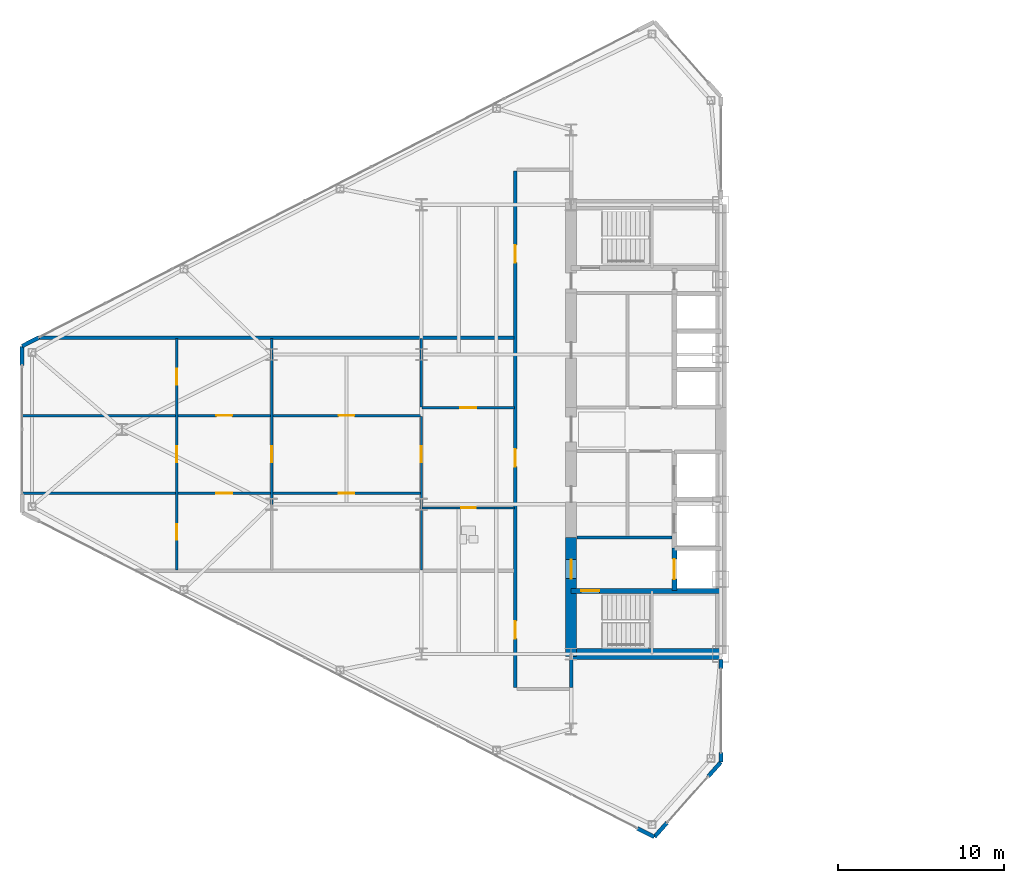
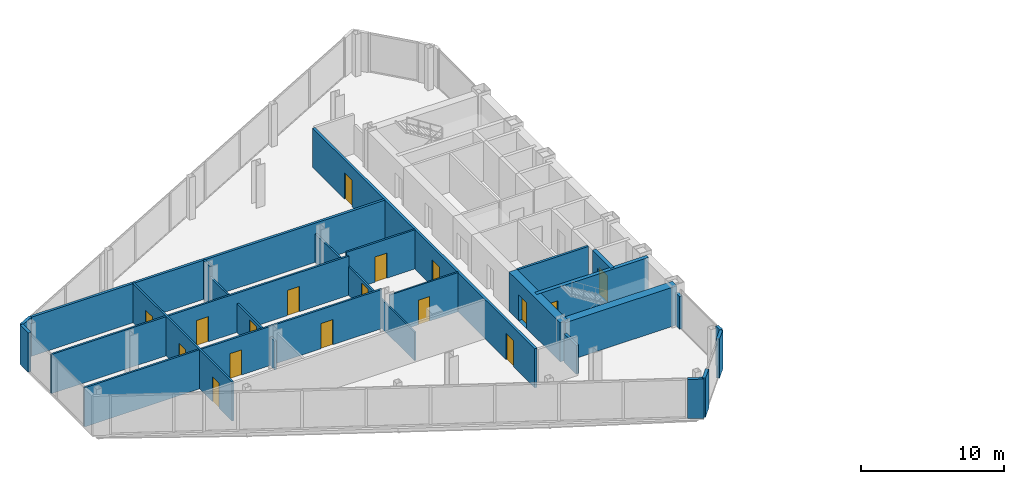
# One storey, part 16 of 23: 24 walls, 17 doors, 17 openings.
"""IFC4 building model written with IfcOpenShell, lengths in metres."""

from ifc_helpers import new_model, si_unit, direction, frame, frame_2d, origin, place, context, subcontext, project, spatial, rectangle, extrude, source, transform, mapped, material, layer, layer_set, type_object, type_shapes, element, fill, save


model = new_model("IFC4")

# Units and contexts
model_context = context("Model", 3, precision=1e-05, world=origin(), true_north=direction((0.0, 1.0)))
body_context = subcontext(model_context, "Body", "Model", "MODEL_VIEW")
ifc_project = project(units=[si_unit("LENGTHUNIT", "METRE"), si_unit("AREAUNIT", "SQUARE_METRE"), si_unit("VOLUMEUNIT", "CUBIC_METRE"), si_unit("PLANEANGLEUNIT", "RADIAN"), si_unit("MASSUNIT", "GRAM", prefix="KILO")], contexts=[model_context])

# Site, building, storey
site_placement = place(None, origin())
site = spatial("IfcSite", under=ifc_project, at=site_placement, CompositionType="ELEMENT")
building_placement = place(site_placement, origin())
building = spatial("IfcBuilding", under=site, at=building_placement, Name="Seokmaru Belvedere", CompositionType="ELEMENT")
storey_placement = place(building_placement, frame((0.0, 0.0, 132.0)))
storey = spatial("IfcBuildingStorey", under=building, at=storey_placement, Name="L35", CompositionType="ELEMENT", Elevation=132.0)

# Wall, openings, doors
ifc_material_1 = material(Name="Fire-Rated Gypsum Shaftwall")
ifc_layer_1 = layer(ifc_material_1, 0.14990234375)
ifc_layer_set_1 = layer_set([ifc_layer_1], Name="Fire-Rated Gypsum Shaftwall")
wall_type_1 = type_object("IfcWallType", Name="Apartment Fire-Acoustic Room Partition 150", PredefinedType="PARTITIONING", material=ifc_layer_set_1)
wall_1_placement = place(storey_placement, frame((-69.534912109375, -3.830078125, 0.0), z_axis=(0.0, 0.0, 1.0), x_axis=(1.0, 0.0, 0.0)))
wall_1 = element("IfcWall", 1, at=wall_1_placement, inside=storey, type_object=wall_type_1, Name="L35 Interior Partition 013", PredefinedType="PARTITIONING", context=body_context, shape_type="SweptSolid", body=[
    extrude(rectangle(XDim=23.98486328125, YDim=0.14990234375, at=frame_2d((11.992431640625, 0.0))), origin(), (0.0, 0.0, 1.0), 3.340087890625),
])
opening_1_placement = place(wall_1_placement, frame((19.06005859375, 0.0, 0.0)))
opening_1 = element("IfcOpeningElement", 2, at=opening_1_placement, cuts=wall_1, Name="Opening D05", PredefinedType="OPENING", context=body_context, shape_type="SweptSolid", body=[
    extrude(rectangle(XDim=0.949951171875, YDim=2.14990234375, at=frame_2d((0.47509765625, 1.074951171875))), frame((0.0, 0.0849609375, 0.0), z_axis=(0.0, -1.0, 0.0), x_axis=(1.0, 0.0, 0.0)), (0.0, 0.0, 1.0), 0.169921875),
])
opening_2_placement = place(wall_1_placement, frame((11.7099609375, 0.0, 0.0)))
opening_2 = element("IfcOpeningElement", 3, at=opening_2_placement, cuts=wall_1, Name="Opening D05", PredefinedType="OPENING", context=body_context, shape_type="SweptSolid", body=[
    extrude(rectangle(XDim=0.949951171875, YDim=2.14990234375, at=frame_2d((0.47509765625, 1.074951171875))), frame((0.0, 0.0849609375, 0.0), z_axis=(0.0, -1.0, 0.0), x_axis=(1.0, 0.0, 0.0)), (0.0, 0.0, 1.0), 0.169921875),
])
ifc_material_2 = material(Name="Engineered White Oak Timber", Category="wood")
door_type_1 = type_object("IfcDoorType", Name="Apartment Interior Fire-Rated Oak Door 950x2150", OperationType="NOTDEFINED", PredefinedType="DOOR", material=ifc_material_2)
shared_shape_1 = source(origin(), body_context, "Body", "SweptSolid", [
    extrude(rectangle(XDim=0.949951171875, YDim=2.14990234375, at=frame_2d((0.47509765625, 1.074951171875))), frame((0.0, 0.02490234375, 0.0), z_axis=(0.0, -1.0, 0.0), x_axis=(1.0, 0.0, 0.0)), (0.0, 0.0, 1.0), 0.050048828125),
])
type_shapes(door_type_1, [shared_shape_1])
door_1_placement = place(opening_1_placement, origin())
door_1 = element("IfcDoor", 4, at=door_1_placement, inside=storey, type_object=door_type_1, Name="L35 Interior Door 007", OperationType="SINGLE_SWING_RIGHT", OverallHeight=2.14990234375, OverallWidth=0.949951171875, PredefinedType="DOOR", context=body_context, shape_type="MappedRepresentation", body=[
    mapped(shared_shape_1, transform((0.0, 0.0, 0.0), scale=1.0)),
])
fill(opening_1, door_1)
door_2_placement = place(opening_2_placement, origin())
door_2 = element("IfcDoor", 5, at=door_2_placement, inside=storey, type_object=door_type_1, Name="L35 Interior Door 009", OperationType="SINGLE_SWING_LEFT", OverallHeight=2.14990234375, OverallWidth=0.949951171875, PredefinedType="DOOR", context=body_context, shape_type="MappedRepresentation", body=[
    mapped(shared_shape_1, transform((0.0, 0.0, 0.0), scale=1.0)),
])
fill(opening_2, door_2)

wall_2_placement = place(storey_placement, frame((-69.534912109375, 0.830078125, 0.0), z_axis=(0.0, 0.0, 1.0), x_axis=(1.0, 0.0, 0.0)))
wall_2 = element("IfcWall", 6, at=wall_2_placement, inside=storey, type_object=wall_type_1, Name="L35 Interior Partition 016", PredefinedType="PARTITIONING", context=body_context, shape_type="SweptSolid", body=[
    extrude(rectangle(XDim=23.98486328125, YDim=0.14990234375, at=frame_2d((11.992431640625, 0.0))), origin(), (0.0, 0.0, 1.0), 3.340087890625),
])
opening_3_placement = place(wall_2_placement, frame((19.06005859375, 0.0, 0.0)))
opening_3 = element("IfcOpeningElement", 7, at=opening_3_placement, cuts=wall_2, Name="Opening D05", PredefinedType="OPENING", context=body_context, shape_type="SweptSolid", body=[
    extrude(rectangle(XDim=0.949951171875, YDim=2.14990234375, at=frame_2d((0.47509765625, 1.074951171875))), frame((0.0, 0.0849609375, 0.0), z_axis=(0.0, -1.0, 0.0), x_axis=(1.0, 0.0, 0.0)), (0.0, 0.0, 1.0), 0.169921875),
])
opening_4_placement = place(wall_2_placement, frame((11.7099609375, 0.0, 0.0)))
opening_4 = element("IfcOpeningElement", 8, at=opening_4_placement, cuts=wall_2, Name="Opening D05", PredefinedType="OPENING", context=body_context, shape_type="SweptSolid", body=[
    extrude(rectangle(XDim=0.949951171875, YDim=2.14990234375, at=frame_2d((0.47509765625, 1.074951171875))), frame((0.0, 0.0849609375, 0.0), z_axis=(0.0, -1.0, 0.0), x_axis=(1.0, 0.0, 0.0)), (0.0, 0.0, 1.0), 0.169921875),
])
door_3_placement = place(opening_3_placement, origin())
door_3 = element("IfcDoor", 9, at=door_3_placement, inside=storey, type_object=door_type_1, Name="L35 Interior Door 008", OperationType="SINGLE_SWING_LEFT", OverallHeight=2.14990234375, OverallWidth=0.949951171875, PredefinedType="DOOR", context=body_context, shape_type="MappedRepresentation", body=[
    mapped(shared_shape_1, transform((0.0, 0.0, 0.0), scale=1.0)),
])
fill(opening_3, door_3)
door_4_placement = place(opening_4_placement, origin())
door_4 = element("IfcDoor", 10, at=door_4_placement, inside=storey, type_object=door_type_1, Name="L35 Interior Door 012", OperationType="SINGLE_SWING_LEFT", OverallHeight=2.14990234375, OverallWidth=0.949951171875, PredefinedType="DOOR", context=body_context, shape_type="MappedRepresentation", body=[
    mapped(shared_shape_1, transform((0.0, 0.0, 0.0), scale=1.0)),
])
fill(opening_4, door_4)

# Wall, opening, door
wall_3_placement = place(storey_placement, frame((-45.449951171875, 1.300048828125, 0.0), z_axis=(0.0, 0.0, 1.0), x_axis=(1.0, 0.0, 0.0)))
wall_3 = element("IfcWall", 11, at=wall_3_placement, inside=storey, type_object=wall_type_1, Name="L35 Interior Partition 017", PredefinedType="PARTITIONING", context=body_context, shape_type="SweptSolid", body=[
    extrude(rectangle(XDim=5.550048828125, YDim=0.14990234375, at=frame_2d((2.77490234375, 0.0))), origin(), (0.0, 0.0, 1.0), 3.340087890625),
])
opening_5_placement = place(wall_3_placement, frame((2.300048828125, 0.0, 0.0)))
opening_5 = element("IfcOpeningElement", 12, at=opening_5_placement, cuts=wall_3, Name="Opening D05", PredefinedType="OPENING", context=body_context, shape_type="SweptSolid", body=[
    extrude(rectangle(XDim=0.949951171875, YDim=2.14990234375, at=frame_2d((0.47509765625, 1.074951171875))), frame((0.0, 0.0849609375, 0.0), z_axis=(0.0, -1.0, 0.0), x_axis=(1.0, 0.0, 0.0)), (0.0, 0.0, 1.0), 0.169921875),
])
door_5_placement = place(opening_5_placement, origin())
door_5 = element("IfcDoor", 13, at=door_5_placement, inside=storey, type_object=door_type_1, Name="L35 Interior Door 004", OperationType="SINGLE_SWING_LEFT", OverallHeight=2.14990234375, OverallWidth=0.949951171875, PredefinedType="DOOR", context=body_context, shape_type="MappedRepresentation", body=[
    mapped(shared_shape_1, transform((0.0, 0.0, 0.0), scale=1.0)),
])
fill(opening_5, door_5)

# Wall, openings, doors
wall_4_placement = place(storey_placement, frame((-60.199951171875, -8.449951171875, 0.0), z_axis=(0.0, 0.0, 1.0), x_axis=(0.0, 1.0, 0.0)))
wall_4 = element("IfcWall", 14, at=wall_4_placement, inside=storey, type_object=wall_type_1, Name="L35 Interior Partition 022", PredefinedType="PARTITIONING", context=body_context, shape_type="SweptSolid", body=[
    extrude(rectangle(XDim=13.89990234375, YDim=0.14990234375, at=frame_2d((6.949951171875, 0.0))), origin(), (0.0, 0.0, 1.0), 3.340087890625),
])
opening_6_placement = place(wall_4_placement, frame((1.808349609375, 0.0, 0.0)))
opening_6 = element("IfcOpeningElement", 15, at=opening_6_placement, cuts=wall_4, Name="Opening D05", PredefinedType="OPENING", context=body_context, shape_type="SweptSolid", body=[
    extrude(rectangle(XDim=0.949951171875, YDim=2.14990234375, at=frame_2d((0.47509765625, 1.074951171875))), frame((0.0, 0.0849609375, 0.0), z_axis=(0.0, -1.0, 0.0), x_axis=(1.0, 0.0, 0.0)), (0.0, 0.0, 1.0), 0.169921875),
])
opening_7_placement = place(wall_4_placement, frame((6.47509765625, 0.0, 0.0)))
opening_7 = element("IfcOpeningElement", 16, at=opening_7_placement, cuts=wall_4, Name="Opening D05", PredefinedType="OPENING", context=body_context, shape_type="SweptSolid", body=[
    extrude(rectangle(XDim=0.949951171875, YDim=2.14990234375, at=frame_2d((0.47509765625, 1.074951171875))), frame((0.0, 0.0849609375, 0.0), z_axis=(0.0, -1.0, 0.0), x_axis=(1.0, 0.0, 0.0)), (0.0, 0.0, 1.0), 0.169921875),
])
opening_8_placement = place(wall_4_placement, frame((11.1416015625, 0.0, 0.0)))
opening_8 = element("IfcOpeningElement", 17, at=opening_8_placement, cuts=wall_4, Name="Opening D05", PredefinedType="OPENING", context=body_context, shape_type="SweptSolid", body=[
    extrude(rectangle(XDim=0.949951171875, YDim=2.14990234375, at=frame_2d((0.47509765625, 1.074951171875))), frame((0.0, 0.0849609375, 0.0), z_axis=(0.0, -1.0, 0.0), x_axis=(1.0, 0.0, 0.0)), (0.0, 0.0, 1.0), 0.169921875),
])
door_6_placement = place(opening_6_placement, origin())
door_6 = element("IfcDoor", 18, at=door_6_placement, inside=storey, type_object=door_type_1, Name="L35 Interior Door 010", OperationType="SINGLE_SWING_RIGHT", OverallHeight=2.14990234375, OverallWidth=0.949951171875, PredefinedType="DOOR", context=body_context, shape_type="MappedRepresentation", body=[
    mapped(shared_shape_1, transform((0.0, 0.0, 0.0), scale=1.0)),
])
fill(opening_6, door_6)
door_7_placement = place(opening_7_placement, origin())
door_7 = element("IfcDoor", 19, at=door_7_placement, inside=storey, type_object=door_type_1, Name="L35 Interior Door 011", OperationType="SINGLE_SWING_RIGHT", OverallHeight=2.14990234375, OverallWidth=0.949951171875, PredefinedType="DOOR", context=body_context, shape_type="MappedRepresentation", body=[
    mapped(shared_shape_1, transform((0.0, 0.0, 0.0), scale=1.0)),
])
fill(opening_7, door_7)
door_8_placement = place(opening_8_placement, origin())
door_8 = element("IfcDoor", 20, at=door_8_placement, inside=storey, type_object=door_type_1, Name="L35 Interior Door 013", OperationType="SINGLE_SWING_RIGHT", OverallHeight=2.14990234375, OverallWidth=0.949951171875, PredefinedType="DOOR", context=body_context, shape_type="MappedRepresentation", body=[
    mapped(shared_shape_1, transform((0.0, 0.0, 0.0), scale=1.0)),
])
fill(opening_8, door_8)

# Wall, opening, door
wall_5_placement = place(storey_placement, frame((-54.5, -4.52001953125, 0.0), z_axis=(0.0, 0.0, 1.0), x_axis=(0.0, 1.0, 0.0)))
wall_5 = element("IfcWall", 21, at=wall_5_placement, inside=storey, type_object=wall_type_1, Name="L35 Interior Partition 023 Part 2", PredefinedType="PARTITIONING", context=body_context, shape_type="SweptSolid", body=[
    extrude(rectangle(XDim=9.0400390625, YDim=0.14990234375, at=frame_2d((4.52001953125, 0.0))), origin(), (0.0, 0.0, 1.0), 2.43994140625),
])
opening_9_placement = place(wall_5_placement, frame((2.544921875, 0.0, 0.0)))
opening_9 = element("IfcOpeningElement", 22, at=opening_9_placement, cuts=wall_5, Name="Opening D05", PredefinedType="OPENING", context=body_context, shape_type="SweptSolid", body=[
    extrude(rectangle(XDim=0.949951171875, YDim=2.14990234375, at=frame_2d((0.47509765625, 1.074951171875))), frame((0.0, 0.0849609375, 0.0), z_axis=(0.0, -1.0, 0.0), x_axis=(1.0, 0.0, 0.0)), (0.0, 0.0, 1.0), 0.169921875),
])
door_9_placement = place(opening_9_placement, origin())
door_9 = element("IfcDoor", 23, at=door_9_placement, inside=storey, type_object=door_type_1, Name="L35 Interior Door 006", OperationType="SINGLE_SWING_LEFT", OverallHeight=2.14990234375, OverallWidth=0.949951171875, PredefinedType="DOOR", context=body_context, shape_type="MappedRepresentation", body=[
    mapped(shared_shape_1, transform((0.0, 0.0, 0.0), scale=1.0)),
])
fill(opening_9, door_9)

# Walls
wall_6_placement = place(storey_placement, frame((-54.5, 4.52001953125, 0.0), z_axis=(0.0, 0.0, 1.0), x_axis=(0.0, 1.0, 0.0)))
element("IfcWall", 24, at=wall_6_placement, inside=storey, type_object=wall_type_1, Name="L35 Interior Partition 023 Part 3", PredefinedType="PARTITIONING", context=body_context, shape_type="SweptSolid", body=[
    extrude(rectangle(XDim=0.929931640625, YDim=0.14990234375, at=frame_2d((0.46484375, 0.0))), origin(), (0.0, 0.0, 1.0), 3.340087890625),
])
wall_7_placement = place(storey_placement, frame((-45.5, 1.35205078125, 0.0), z_axis=(0.0, 0.0, 1.0), x_axis=(0.0, 1.0, 0.0)))
element("IfcWall", 25, at=wall_7_placement, inside=storey, type_object=wall_type_1, Name="L35 Interior Partition 025", PredefinedType="PARTITIONING", context=body_context, shape_type="SweptSolid", body=[
    extrude(rectangle(XDim=4.097900390625, YDim=0.14990234375, at=frame_2d((2.048828125, 0.0))), origin(), (0.0, 0.0, 1.0), 2.43994140625),
])
ifc_layer_2 = layer(ifc_material_1, 0.179931640625)
ifc_layer_set_2 = layer_set([ifc_layer_2], Name="Fire-Rated Gypsum Shaftwall")
wall_type_2 = type_object("IfcWallType", Name="Core Service Fire Partition 180", PredefinedType="PARTITIONING", material=ifc_layer_set_2)
wall_8_placement = place(storey_placement, frame((-36.14990234375, -6.5, 0.0), z_axis=(0.0, 0.0, 1.0), x_axis=(1.0, 0.0, 0.0)))
element("IfcWall", 26, at=wall_8_placement, inside=storey, type_object=wall_type_2, Name="L35 West Firefighting Lobby Partition", PredefinedType="PARTITIONING", context=body_context, shape_type="SweptSolid", body=[
    extrude(rectangle(XDim=5.699951171875, YDim=0.179931640625, at=frame_2d((2.85009765625, 0.0))), origin(), (0.0, 0.0, 1.0), 3.340087890625),
])
ifc_layer_3 = layer(ifc_material_1, 0.199951171875)
ifc_layer_set_3 = layer_set([ifc_layer_3], Name="Fire-Rated Gypsum Shaftwall")
wall_type_3 = type_object("IfcWallType", Name="Inter-Tenancy Fire Compartment Partition 200", PredefinedType="PARTITIONING", material=ifc_layer_set_3)
wall_9_placement = place(storey_placement, frame((-68.45849609375, 5.5, 0.0), z_axis=(0.0, 0.0, 1.0), x_axis=(1.0, 0.0, 0.0)))
element("IfcWall", 27, at=wall_9_placement, inside=storey, type_object=wall_type_3, Name="L35 Interior Partition 019", PredefinedType="PARTITIONING", context=body_context, shape_type="SweptSolid", body=[
    extrude(rectangle(XDim=28.528564453125, YDim=0.199951171875, at=frame_2d((14.26416015625, 0.0))), origin(), (0.0, 0.0, 1.0), 3.340087890625),
])

# Wall, openings, doors
wall_10_placement = place(storey_placement, frame((-39.85009765625, -15.514892578125, 0.0), z_axis=(0.0, 0.0, 1.0), x_axis=(0.0, 1.0, 0.0)))
wall_10 = element("IfcWall", 28, at=wall_10_placement, inside=storey, type_object=wall_type_3, Name="L35 Interior Partition 026", PredefinedType="PARTITIONING", context=body_context, shape_type="SweptSolid", body=[
    extrude(rectangle(XDim=31.02978515625, YDim=0.199951171875, at=frame_2d((15.514892578125, 0.0))), origin(), (0.0, 0.0, 1.0), 3.340087890625),
])
opening_10_placement = place(wall_10_placement, frame((2.93994140625, 0.0, 0.0)))
opening_10 = element("IfcOpeningElement", 29, at=opening_10_placement, cuts=wall_10, Name="Opening D03", PredefinedType="OPENING", context=body_context, shape_type="SweptSolid", body=[
    extrude(rectangle(XDim=1.050048828125, YDim=2.25, at=frame_2d((0.52490234375, 1.125))), frame((0.0, 0.10986328125, 0.0), z_axis=(0.0, -1.0, 0.0), x_axis=(1.0, 0.0, 0.0)), (0.0, 0.0, 1.0), 0.219970703125),
])
opening_11_placement = place(wall_10_placement, frame((13.280029296875, 0.0, 0.0)))
opening_11 = element("IfcOpeningElement", 30, at=opening_11_placement, cuts=wall_10, Name="Opening D03", PredefinedType="OPENING", context=body_context, shape_type="SweptSolid", body=[
    extrude(rectangle(XDim=1.050048828125, YDim=2.25, at=frame_2d((0.52490234375, 1.125))), frame((0.0, 0.10986328125, 0.0), z_axis=(0.0, -1.0, 0.0), x_axis=(1.0, 0.0, 0.0)), (0.0, 0.0, 1.0), 0.219970703125),
])
opening_12_placement = place(wall_10_placement, frame((25.5400390625, 0.0, 0.0)))
opening_12 = element("IfcOpeningElement", 31, at=opening_12_placement, cuts=wall_10, Name="Opening D03", PredefinedType="OPENING", context=body_context, shape_type="SweptSolid", body=[
    extrude(rectangle(XDim=1.050048828125, YDim=2.25, at=frame_2d((0.52490234375, 1.125))), frame((0.0, 0.10986328125, 0.0), z_axis=(0.0, -1.0, 0.0), x_axis=(1.0, 0.0, 0.0)), (0.0, 0.0, 1.0), 0.219970703125),
])
ifc_material_3 = material(Name="Fire-Rated Steel Leaf", Category="steel")
door_type_2 = type_object("IfcDoorType", Name="Apartment Entrance Fire Door 1050x2250", OperationType="NOTDEFINED", PredefinedType="DOOR", material=ifc_material_3)
shared_shape_2 = source(origin(), body_context, "Body", "SweptSolid", [
    extrude(rectangle(XDim=1.050048828125, YDim=2.25, at=frame_2d((0.52490234375, 1.125))), frame((0.0, 0.02490234375, 0.0), z_axis=(0.0, -1.0, 0.0), x_axis=(1.0, 0.0, 0.0)), (0.0, 0.0, 1.0), 0.050048828125),
])
type_shapes(door_type_2, [shared_shape_2])
door_10_placement = place(opening_10_placement, origin())
door_10 = element("IfcDoor", 32, at=door_10_placement, inside=storey, type_object=door_type_2, Name="L35 Interior Door 001", OperationType="SINGLE_SWING_RIGHT", OverallHeight=2.25, OverallWidth=1.050048828125, PredefinedType="DOOR", context=body_context, shape_type="MappedRepresentation", body=[
    mapped(shared_shape_2, transform((0.0, 0.0, 0.0), scale=1.0)),
])
fill(opening_10, door_10)
door_11_placement = place(opening_11_placement, origin())
door_11 = element("IfcDoor", 33, at=door_11_placement, inside=storey, type_object=door_type_2, Name="L35 Interior Door 002", OperationType="SINGLE_SWING_LEFT", OverallHeight=2.25, OverallWidth=1.050048828125, PredefinedType="DOOR", context=body_context, shape_type="MappedRepresentation", body=[
    mapped(shared_shape_2, transform((0.0, 0.0, 0.0), scale=1.0)),
])
fill(opening_11, door_11)
door_12_placement = place(opening_12_placement, origin())
door_12 = element("IfcDoor", 34, at=door_12_placement, inside=storey, type_object=door_type_2, Name="L35 Interior Door 014", OperationType="SINGLE_SWING_RIGHT", OverallHeight=2.25, OverallWidth=1.050048828125, PredefinedType="DOOR", context=body_context, shape_type="MappedRepresentation", body=[
    mapped(shared_shape_2, transform((0.0, 0.0, 0.0), scale=1.0)),
])
fill(opening_12, door_12)

# Wall
wall_11_placement = place(storey_placement, frame((-36.5, -15.514892578125, 0.0), z_axis=(0.0, 0.0, 1.0), x_axis=(0.0, 1.0, 0.0)))
element("IfcWall", 35, at=wall_11_placement, inside=storey, type_object=wall_type_3, Name="L35 Interior Partition 027", PredefinedType="PARTITIONING", context=body_context, shape_type="SweptSolid", body=[
    extrude(rectangle(XDim=1.684814453125, YDim=0.199951171875, at=frame_2d((0.84228515625, 0.0))), origin(), (0.0, 0.0, 1.0), 2.43994140625),
])

# Wall, opening, door
ifc_material_4 = material(Name="Concrete C50 (50 MPa)", Category="concrete")
ifc_layer_4 = layer(ifc_material_4, 0.300048828125)
ifc_layer_set_4 = layer_set([ifc_layer_4], Name="Concrete C50 (50 MPa)")
wall_type_4 = type_object("IfcWallType", Name="Internal Core Stair and Hoistway Wall 300", PredefinedType="SHEAR", material=ifc_layer_set_4)
wall_12_placement = place(storey_placement, frame((-36.5, -9.699951171875, 0.0), z_axis=(0.0, 0.0, 1.0), x_axis=(1.0, 0.0, 0.0)))
wall_12 = element("IfcWall", 36, at=wall_12_placement, inside=storey, type_object=wall_type_4, Name="L35 West Stair ST-1 Enclosure Wall", PredefinedType="SHEAR", context=body_context, shape_type="SweptSolid", body=[
    extrude(rectangle(XDim=9.0, YDim=0.300048828125, at=frame_2d((4.5, 0.0))), origin(), (0.0, 0.0, 1.0), 3.340087890625),
])
opening_13_placement = place(wall_12_placement, frame((0.60009765625, 0.0, 0.0)))
opening_13 = element("IfcOpeningElement", 37, at=opening_13_placement, cuts=wall_12, Name="Opening D01", PredefinedType="OPENING", context=body_context, shape_type="SweptSolid", body=[
    extrude(rectangle(XDim=1.10009765625, YDim=2.199951171875, at=frame_2d((0.550048828125, 1.10009765625))), frame((0.0, 0.16015625, 0.0), z_axis=(0.0, -1.0, 0.0), x_axis=(1.0, 0.0, 0.0)), (0.0, 0.0, 1.0), 0.320068359375),
])
door_type_3 = type_object("IfcDoorType", Name="Special Escape Stair Smokeproof Fire Door 1100x2200", OperationType="NOTDEFINED", PredefinedType="DOOR", material=ifc_material_3)
shared_shape_3 = source(origin(), body_context, "Body", "SweptSolid", [
    extrude(rectangle(XDim=1.10009765625, YDim=2.199951171875, at=frame_2d((0.550048828125, 1.10009765625))), frame((0.0, 0.02490234375, 0.0), z_axis=(0.0, -1.0, 0.0), x_axis=(1.0, 0.0, 0.0)), (0.0, 0.0, 1.0), 0.050048828125),
])
type_shapes(door_type_3, [shared_shape_3])
door_13_placement = place(opening_13_placement, frame((1.10009765625, 0.0, 0.0), z_axis=(0.0, 0.0, 1.0), x_axis=(-1.0, 0.0, 0.0)))
door_13 = element("IfcDoor", 38, at=door_13_placement, inside=storey, type_object=door_type_3, Name="L35 West Special Escape Stair ST-1 Door", OperationType="SINGLE_SWING_LEFT", OverallHeight=2.199951171875, OverallWidth=1.10009765625, PredefinedType="DOOR", context=body_context, shape_type="MappedRepresentation", body=[
    mapped(shared_shape_3, transform((0.0, 0.0, 0.0), scale=1.0)),
])
fill(opening_13, door_13)

wall_13_placement = place(storey_placement, frame((-30.300048828125, -9.679931640625, 0.0), z_axis=(0.0, 0.0, 1.0), x_axis=(0.0, 1.0, 0.0)))
wall_13 = element("IfcWall", 39, at=wall_13_placement, inside=storey, type_object=wall_type_4, Name="L35 West Firefighting Lift Shaft Front Wall", PredefinedType="SHEAR", context=body_context, shape_type="SweptSolid", body=[
    extrude(rectangle(XDim=2.559814453125, YDim=0.300048828125, at=frame_2d((1.27978515625, 0.0))), origin(), (0.0, 0.0, 1.0), 3.340087890625),
])
opening_14_placement = place(wall_13_placement, frame((0.679931640625, 0.0, 0.0)))
opening_14 = element("IfcOpeningElement", 40, at=opening_14_placement, cuts=wall_13, Name="Opening LD2", PredefinedType="OPENING", context=body_context, shape_type="SweptSolid", body=[
    extrude(rectangle(XDim=1.199951171875, YDim=2.25, at=frame_2d((0.60009765625, 1.125))), frame((0.0, 0.16015625, 0.0), z_axis=(0.0, -1.0, 0.0), x_axis=(1.0, 0.0, 0.0)), (0.0, 0.0, 1.0), 0.320068359375),
])
ifc_material_5 = material(Name="Stainless Steel 316", Category="steel")
door_type_4 = type_object("IfcDoorType", Name="Firefighting Lift Sliding Landing Door 1200x2250", OperationType="DOUBLE_DOOR_SLIDING", PredefinedType="DOOR", material=ifc_material_5)
shared_shape_4 = source(origin(), body_context, "Body", "SweptSolid", [
    extrude(rectangle(XDim=1.199951171875, YDim=2.25, at=frame_2d((0.60009765625, 1.125))), frame((0.0, 0.02490234375, 0.0), z_axis=(0.0, -1.0, 0.0), x_axis=(1.0, 0.0, 0.0)), (0.0, 0.0, 1.0), 0.050048828125),
])
type_shapes(door_type_4, [shared_shape_4])
door_14_placement = place(opening_14_placement, origin())
door_14 = element("IfcDoor", 41, at=door_14_placement, inside=storey, type_object=door_type_4, Name="L35 West Firefighting Lift Landing Door", OperationType="DOUBLE_DOOR_SLIDING", OverallHeight=2.25, OverallWidth=1.199951171875, PredefinedType="DOOR", context=body_context, shape_type="MappedRepresentation", body=[
    mapped(shared_shape_4, transform((0.0, 0.0, 0.0), scale=1.0)),
])
fill(opening_14, door_14)

# Wall
ifc_material_6 = material(Name="Concrete C60 (60 MPa)", Category="concrete")
ifc_layer_5 = layer(ifc_material_6, 0.64990234375)
ifc_layer_set_5 = layer_set([ifc_layer_5], Name="Concrete C60 (60 MPa)")
wall_type_5 = type_object("IfcWallType", Name="Mid-Low Reinforced Concrete Core Wall 650", PredefinedType="SHEAR", material=ifc_layer_set_5)
wall_14_placement = place(storey_placement, frame((-36.5, -13.5, 0.0), z_axis=(0.0, 0.0, 1.0), x_axis=(1.0, 0.0, 0.0)))
element("IfcWall", 42, at=wall_14_placement, inside=storey, type_object=wall_type_5, Name="L35 West South Core Wall", PredefinedType="SHEAR", context=body_context, shape_type="SweptSolid", body=[
    extrude(rectangle(XDim=9.0, YDim=0.64990234375, at=frame_2d((4.5, 0.0))), origin(), (0.0, 0.0, 1.0), 3.340087890625),
])

# Wall, opening, door
wall_15_placement = place(storey_placement, frame((-36.5, -13.64990234375, 0.0), z_axis=(0.0, 0.0, 1.0), x_axis=(0.0, 1.0, 0.0)))
wall_15 = element("IfcWall", 43, at=wall_15_placement, inside=storey, type_object=wall_type_5, Name="L35 West West Core Wall FF", PredefinedType="SHEAR", context=body_context, shape_type="SweptSolid", body=[
    extrude(rectangle(XDim=7.14990234375, YDim=0.64990234375, at=frame_2d((3.574951171875, 0.0))), origin(), (0.0, 0.0, 1.0), 3.340087890625),
])
opening_15_placement = place(wall_15_placement, frame((4.675048828125, 0.0, 0.0)))
opening_15 = element("IfcOpeningElement", 44, at=opening_15_placement, cuts=wall_15, Name="Opening D02", PredefinedType="OPENING", context=body_context, shape_type="SweptSolid", body=[
    extrude(rectangle(XDim=1.14990234375, YDim=2.199951171875, at=frame_2d((0.574951171875, 1.10009765625))), frame((0.0, 0.3349609375, 0.0), z_axis=(0.0, -1.0, 0.0), x_axis=(1.0, 0.0, 0.0)), (0.0, 0.0, 1.0), 0.669921875),
])
door_type_5 = type_object("IfcDoorType", Name="Lobby and Vestibule Fire Door 1150x2200", OperationType="NOTDEFINED", PredefinedType="DOOR", material=ifc_material_3)
shared_shape_5 = source(origin(), body_context, "Body", "SweptSolid", [
    extrude(rectangle(XDim=1.14990234375, YDim=2.199951171875, at=frame_2d((0.574951171875, 1.10009765625))), frame((0.0, 0.02490234375, 0.0), z_axis=(0.0, -1.0, 0.0), x_axis=(1.0, 0.0, 0.0)), (0.0, 0.0, 1.0), 0.050048828125),
])
type_shapes(door_type_5, [shared_shape_5])
door_15_placement = place(opening_15_placement, frame((1.14990234375, 0.0, 0.0), z_axis=(0.0, 0.0, 1.0), x_axis=(-1.0, 0.0, 0.0)))
door_15 = element("IfcDoor", 45, at=door_15_placement, inside=storey, type_object=door_type_5, Name="L35 West Firefighting Lobby Door", OperationType="SINGLE_SWING_LEFT", OverallHeight=2.199951171875, OverallWidth=1.14990234375, PredefinedType="DOOR", context=body_context, shape_type="MappedRepresentation", body=[
    mapped(shared_shape_5, transform((0.0, 0.0, 0.0), scale=1.0)),
])
fill(opening_15, door_15)

ifc_layer_6 = layer(ifc_material_1, 0.1298828125)
ifc_layer_set_6 = layer_set([ifc_layer_6], Name="Fire-Rated Gypsum Shaftwall")
wall_type_6 = type_object("IfcWallType", Name="Moisture-Resistant Fire-Rated Bathroom Partition 130", PredefinedType="PARTITIONING", material=ifc_layer_set_6)
wall_16_placement = place(storey_placement, frame((-45.449951171875, -4.719970703125, 0.0), z_axis=(0.0, 0.0, 1.0), x_axis=(1.0, 0.0, 0.0)))
wall_16 = element("IfcWall", 46, at=wall_16_placement, inside=storey, type_object=wall_type_6, Name="L35 Interior Partition 011", PredefinedType="PARTITIONING", context=body_context, shape_type="SweptSolid", body=[
    extrude(rectangle(XDim=5.550048828125, YDim=0.1298828125, at=frame_2d((2.77490234375, 0.0))), origin(), (0.0, 0.0, 1.0), 3.340087890625),
])
opening_16_placement = place(wall_16_placement, frame((2.3349609375, 0.0, 0.0)))
opening_16 = element("IfcOpeningElement", 47, at=opening_16_placement, cuts=wall_16, Name="Opening D06", PredefinedType="OPENING", context=body_context, shape_type="SweptSolid", body=[
    extrude(rectangle(XDim=0.8798828125, YDim=2.10009765625, at=frame_2d((0.43994140625, 1.050048828125))), frame((0.0, 0.074951171875, 0.0), z_axis=(0.0, -1.0, 0.0), x_axis=(1.0, 0.0, 0.0)), (0.0, 0.0, 1.0), 0.14990234375),
])
door_type_6 = type_object("IfcDoorType", Name="Bathroom and Restroom Fire-Rated Door 880x2100", OperationType="NOTDEFINED", PredefinedType="DOOR", material=ifc_material_2)
shared_shape_6 = source(origin(), body_context, "Body", "SweptSolid", [
    extrude(rectangle(XDim=0.8798828125, YDim=2.10009765625, at=frame_2d((0.43994140625, 1.050048828125))), frame((0.0, 0.02490234375, 0.0), z_axis=(0.0, -1.0, 0.0), x_axis=(1.0, 0.0, 0.0)), (0.0, 0.0, 1.0), 0.050048828125),
])
type_shapes(door_type_6, [shared_shape_6])
door_16_placement = place(opening_16_placement, origin())
door_16 = element("IfcDoor", 48, at=door_16_placement, inside=storey, type_object=door_type_6, Name="L35 Interior Door 003", OperationType="SINGLE_SWING_LEFT", OverallHeight=2.10009765625, OverallWidth=0.8798828125, PredefinedType="DOOR", context=body_context, shape_type="MappedRepresentation", body=[
    mapped(shared_shape_6, transform((0.0, 0.0, 0.0), scale=1.0)),
])
fill(opening_16, door_16)

wall_17_placement = place(storey_placement, frame((-45.5, -8.449951171875, 0.0), z_axis=(0.0, 0.0, 1.0), x_axis=(0.0, 1.0, 0.0)))
wall_17 = element("IfcWall", 49, at=wall_17_placement, inside=storey, type_object=wall_type_6, Name="L35 Interior Partition 024", PredefinedType="PARTITIONING", context=body_context, shape_type="SweptSolid", body=[
    extrude(rectangle(XDim=9.23291015625, YDim=0.1298828125, at=frame_2d((4.616455078125, 0.0))), origin(), (0.0, 0.0, 1.0), 2.43994140625),
])
opening_17_placement = place(wall_17_placement, frame((6.47509765625, 0.0, 0.0)))
opening_17 = element("IfcOpeningElement", 50, at=opening_17_placement, cuts=wall_17, Name="Opening D05", PredefinedType="OPENING", context=body_context, shape_type="SweptSolid", body=[
    extrude(rectangle(XDim=0.949951171875, YDim=2.14990234375, at=frame_2d((0.47509765625, 1.074951171875))), frame((0.0, 0.074951171875, 0.0), z_axis=(0.0, -1.0, 0.0), x_axis=(1.0, 0.0, 0.0)), (0.0, 0.0, 1.0), 0.14990234375),
])
door_17_placement = place(opening_17_placement, origin())
door_17 = element("IfcDoor", 51, at=door_17_placement, inside=storey, type_object=door_type_1, Name="L35 Interior Door 005", OperationType="SINGLE_SWING_RIGHT", OverallHeight=2.14990234375, OverallWidth=0.949951171875, PredefinedType="DOOR", context=body_context, shape_type="MappedRepresentation", body=[
    mapped(shared_shape_1, transform((0.0, 0.0, 0.0), scale=1.0)),
])
fill(opening_17, door_17)

# Walls
ifc_material_7 = material(Name="Anodised Bronze Aluminium", Category="aluminium")
ifc_layer_7 = layer(ifc_material_7, 0.239990234375)
ifc_layer_set_7 = layer_set([ifc_layer_7], Name="Anodised Bronze Aluminium")
wall_type_7 = type_object("IfcWallType", Name="Tower Corner Spandrel Closure Wall 240", PredefinedType="SOLIDWALL", material=ifc_layer_set_7)
wall_18_placement = place(storey_placement, frame((-27.5, -19.97998046875, 0.0), z_axis=(0.0, 0.0, 1.0), x_axis=(0.0, 1.0, 0.0)))
element("IfcWall", 52, at=wall_18_placement, inside=storey, type_object=wall_type_7, Name="L35 W Spine Closure Pier 1A", PredefinedType="SOLIDWALL", context=body_context, shape_type="SweptSolid", body=[
    extrude(rectangle(XDim=0.550048828125, YDim=0.239990234375, at=frame_2d((0.27490234375, 0.0))), origin(), (0.0, 0.0, 1.0), 3.340087890625),
])
wall_19_placement = place(storey_placement, frame((-27.5, -14.3798828125, 0.0), z_axis=(0.0, 0.0, 1.0), x_axis=(0.0, 1.0, 0.0)))
element("IfcWall", 53, at=wall_19_placement, inside=storey, type_object=wall_type_7, Name="L35 W Spine Closure Pier 1B", PredefinedType="SOLIDWALL", context=body_context, shape_type="SweptSolid", body=[
    extrude(rectangle(XDim=0.5498046875, YDim=0.239990234375, at=frame_2d((0.27490234375, 0.0))), origin(), (0.0, 0.0, 1.0), 2.7900390625),
])
wall_20_placement = place(storey_placement, frame((-68.476806640625, 5.52490234375, 0.0), z_axis=(0.0, 0.0, 1.0), x_axis=(-0.889797395748, -0.456355776255, 0.0)))
element("IfcWall", 54, at=wall_20_placement, inside=storey, type_object=wall_type_7, Name="L35 W Corner Closure Pier 3B", PredefinedType="SOLIDWALL", context=body_context, shape_type="SweptSolid", body=[
    extrude(rectangle(XDim=1.14013671875, YDim=0.239990234375, at=frame_2d((0.570068359375, 0.0))), origin(), (0.0, 0.0, 1.0), 3.340087890625),
])
wall_21_placement = place(storey_placement, frame((-69.5, 4.989990234375, 0.0), z_axis=(0.0, 0.0, 1.0), x_axis=(0.0, -1.0, 0.0)))
element("IfcWall", 55, at=wall_21_placement, inside=storey, type_object=wall_type_7, Name="L35 W Corner Closure Pier 4A", PredefinedType="SOLIDWALL", context=body_context, shape_type="SweptSolid", body=[
    extrude(rectangle(XDim=1.139892578125, YDim=0.239990234375, at=frame_2d((0.56982421875, 0.0))), origin(), (0.0, 0.0, 1.0), 3.340087890625),
])
wall_22_placement = place(storey_placement, frame((-32.523193359375, -23.97509765625, 0.0), z_axis=(0.0, 0.0, 1.0), x_axis=(0.889797395748, -0.456355776255, 0.0)))
element("IfcWall", 56, at=wall_22_placement, inside=storey, type_object=wall_type_7, Name="L35 W Corner Closure Pier 5B", PredefinedType="SOLIDWALL", context=body_context, shape_type="SweptSolid", body=[
    extrude(rectangle(XDim=1.14013671875, YDim=0.239990234375, at=frame_2d((0.570068359375, 0.0))), origin(), (0.0, 0.0, 1.0), 3.340087890625),
])
for number, where, z_axis, x_axis, name in (
    (57, (-31.493408203125, -24.492431640625, 0.0), (0.0, 0.0, 1.0), (0.664337252513, 0.747432950119, 0.0), "L35 W Corner Closure Pier 6A"),
    (58, (-28.263916015625, -20.859619140625, 0.0), (0.0, 0.0, 1.0), (0.664337252513, 0.747432950119, 0.0), "L35 W Corner Closure Pier 6B"),
):
    element("IfcWall", number, at=place(storey_placement, frame(where, z_axis=z_axis, x_axis=x_axis)), inside=storey, type_object=wall_type_7, Name=name, PredefinedType="SOLIDWALL", context=body_context, shape_type="SweptSolid", body=[
        extrude(rectangle(XDim=1.139892578125, YDim=0.239990234375, at=frame_2d((0.56982421875, 0.0))), origin(), (0.0, 0.0, 1.0), 3.340087890625),
    ])

save(model, "model.ifc")
